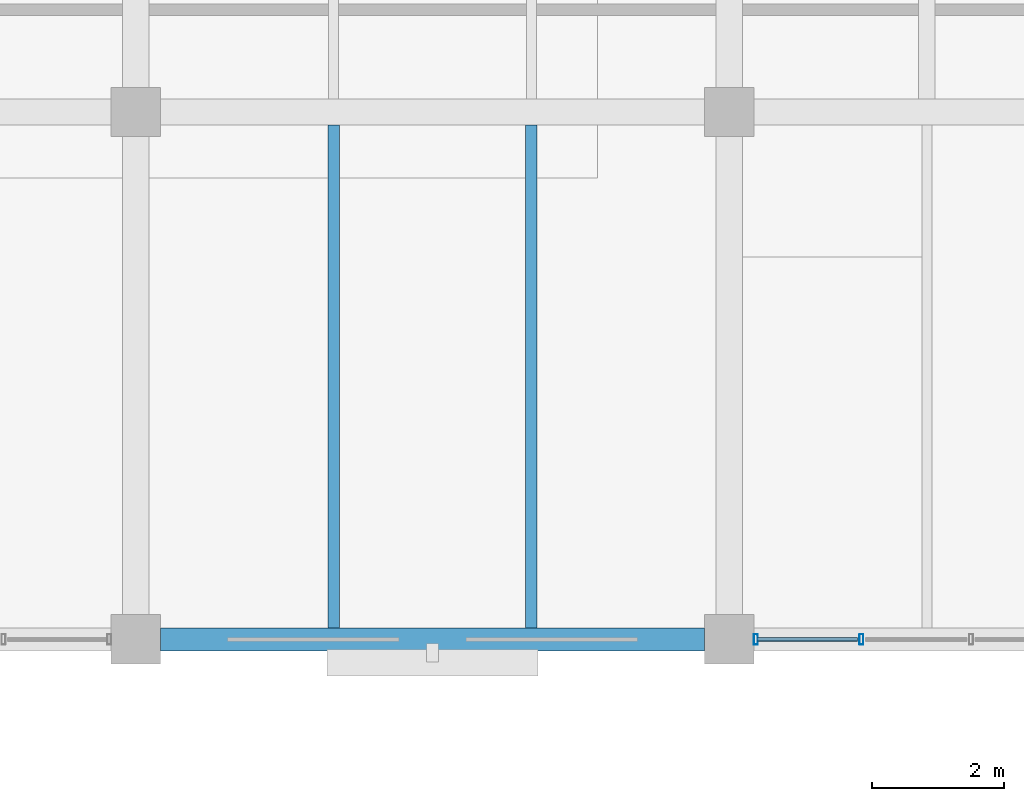
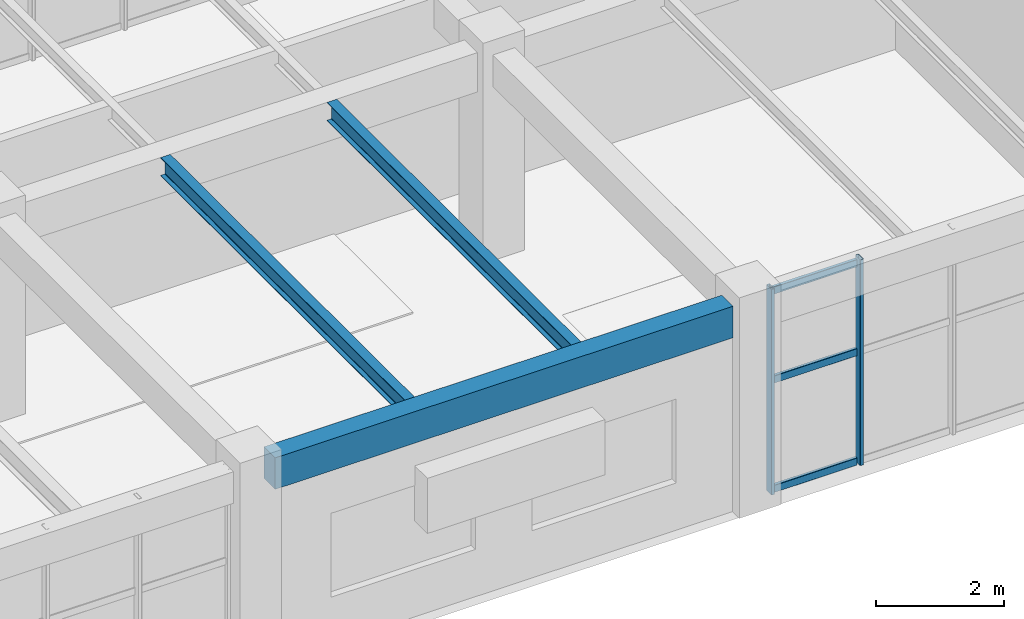
# One storey, part 86 of 148: 5 members, 3 beams, 1 element without a shape of its own.
"""IFC4 building model written with IfcOpenShell, lengths in metres."""

import ifcopenshell
import ifcopenshell.guid

model = None  # the IFC model being written
_history = None  # IfcOwnerHistory: only IFC2X3 demands one
_inside = {}  # id of a spatial element -> (the spatial element, [elements in it])
_under = {}  # id of a project, library or spatial element -> (it, [spatial elements below it])
_declared = {}  # id of a project -> (the project, [libraries it declares])
_typed = {}  # id of a type object -> (the type object, [elements of that type])
_made_of = {}  # id of a material, layer set ... -> (it, [elements and type objects made of it])


def new_model(schema):
    """Start an empty IFC model of exactly this schema.

    Asked for "IFC4X3", IfcOpenShell would pick the latest addendum, in which some entities
    have other attributes; the version numbers below select the first issue.
    IFC2X3 requires an IfcOwnerHistory on every rooted entity: one is made here for all.
    """
    global model, _history
    if schema == "IFC4X3":
        model = ifcopenshell.file(schema_version=(4, 3, 0, 0))
    else:
        model = ifcopenshell.file(schema=schema)
    _inside.clear()
    _under.clear()
    _declared.clear()
    _typed.clear()
    _made_of.clear()
    _history = None
    if model.schema == "IFC2X3":
        org = make("IfcOrganization", Name="unknown")
        user = make(
            "IfcPersonAndOrganization",
            ThePerson=make("IfcPerson", FamilyName="unknown"),
            TheOrganization=org,
        )
        app = make(
            "IfcApplication",
            ApplicationDeveloper=org,
            Version="unknown",
            ApplicationFullName="unknown",
            ApplicationIdentifier="unknown",
        )
        _history = make(
            "IfcOwnerHistory",
            OwningUser=user,
            OwningApplication=app,
            ChangeAction="ADDED",
            CreationDate=0,
        )
    return model


def make(cls, **values):
    """One entity of the class cls with the attributes given. An attribute that is None is left unset."""
    return model.create_entity(
        cls, **{name: value for name, value in values.items() if value is not None}
    )


def rooted(cls, **values):
    """An entity with a GlobalId (a new one), such as an element, a storey or a relation."""
    return make(cls, GlobalId=ifcopenshell.guid.new(), OwnerHistory=_history, **values)


def si_unit(unit_type, name, prefix=None):
    """IfcSIUnit, for example si_unit("LENGTHUNIT", "METRE", prefix="MILLI")."""
    return make("IfcSIUnit", UnitType=unit_type, Prefix=prefix, Name=name)


def derived_unit(unit_type, elements):
    """IfcDerivedUnit: a product of units, each with its exponent."""
    return make(
        "IfcDerivedUnit",
        Elements=[
            make("IfcDerivedUnitElement", Unit=unit, Exponent=power)
            for unit, power in elements
        ],
        UnitType=unit_type,
    )


def assignment(units):
    """IfcUnitAssignment: the units of a project."""
    return None if units is None else make("IfcUnitAssignment", Units=units)


def point(xyz):
    """IfcCartesianPoint."""
    return None if xyz is None else make("IfcCartesianPoint", Coordinates=xyz)


def direction(xyz):
    """IfcDirection."""
    return None if xyz is None else make("IfcDirection", DirectionRatios=xyz)


def frame(location, z_axis=None, x_axis=None):
    """IfcAxis2Placement3D, a coordinate frame: its origin and axes. An axis left out is left unset."""
    return make(
        "IfcAxis2Placement3D",
        Location=point(location),
        Axis=direction(z_axis),
        RefDirection=direction(x_axis),
    )


def frame_2d(location, x_axis=None):
    """IfcAxis2Placement2D, a coordinate frame in the plane: its origin and x axis."""
    return make(
        "IfcAxis2Placement2D", Location=point(location), RefDirection=direction(x_axis)
    )


def origin():
    """The frame at (0, 0, 0) with its axes left unset."""
    return frame((0.0, 0.0, 0.0))


def origin_2d():
    """The frame at (0, 0) in the plane with its x axis left unset."""
    return frame_2d((0.0, 0.0))


def place(relative_to, where):
    """IfcLocalPlacement: puts the frame where relative to a parent placement (None: the world)."""
    return make(
        "IfcLocalPlacement", PlacementRelTo=relative_to, RelativePlacement=where
    )


def context(
    kind, dimensions, precision=None, world=None, true_north=None, identifier=None
):
    """IfcGeometricRepresentationContext, for example the 3D "Model" context."""
    return make(
        "IfcGeometricRepresentationContext",
        ContextIdentifier=identifier,
        ContextType=kind,
        CoordinateSpaceDimension=dimensions,
        Precision=precision,
        WorldCoordinateSystem=world,
        TrueNorth=true_north,
    )


def subcontext(parent, identifier, kind, view, scale=None):
    """IfcGeometricRepresentationSubContext, for example "Body" below "Model"."""
    return make(
        "IfcGeometricRepresentationSubContext",
        ContextIdentifier=identifier,
        ContextType=kind,
        ParentContext=parent,
        TargetScale=scale,
        TargetView=view,
    )


def project(units=None, contexts=None):
    """IfcProject with its units and contexts."""
    return rooted(
        "IfcProject",
        Name="project",
        RepresentationContexts=contexts,
        UnitsInContext=assignment(units),
    )


def spatial(cls, under=None, at=None, **own):
    """A site, building, storey or space (cls), placed at a placement, below another one or the project."""
    s = rooted(cls, ObjectPlacement=at, **own)
    if under is not None:
        _under.setdefault(under.id(), (under, []))[1].append(s)
    return s


def profile(cls, at=None, kind="AREA", **sizes):
    """A parametric profile (cls). Its sizes go by their IFC names, for example OverallWidth=200.0."""
    return make(cls, ProfileType=kind, Position=at, **sizes)


def rectangle(**sizes):
    """IfcRectangleProfileDef."""
    return profile("IfcRectangleProfileDef", **sizes)


def hollow_rectangle(**sizes):
    """IfcRectangleHollowProfileDef."""
    return profile("IfcRectangleHollowProfileDef", **sizes)


def i_section(**sizes):
    """IfcIShapeProfileDef."""
    return profile("IfcIShapeProfileDef", **sizes)


def extrude(swept, where, along, depth):
    """IfcExtrudedAreaSolid: the profile swept, set in the frame where, extruded along a direction by depth."""
    return make(
        "IfcExtrudedAreaSolid",
        SweptArea=swept,
        Position=where,
        ExtrudedDirection=direction(along),
        Depth=depth,
    )


def shape(context_of_items, identifier, shape_type, items):
    """IfcShapeRepresentation: the items that make up one representation, for example the "Body"."""
    return make(
        "IfcShapeRepresentation",
        ContextOfItems=context_of_items,
        RepresentationIdentifier=identifier,
        RepresentationType=shape_type,
        Items=items,
    )


def material(Name=None, Category=None):
    """IfcMaterial."""
    return make("IfcMaterial", Name=Name, Category=Category)


def material_profile(
    of_material, cross_section, Name=None, Category=None, Priority=None
):
    """IfcMaterialProfile: a cross section and its material."""
    return make(
        "IfcMaterialProfile",
        Name=Name,
        Material=of_material,
        Profile=cross_section,
        Priority=Priority,
        Category=Category,
    )


def profile_set(profiles, Name=None, composite=None):
    """IfcMaterialProfileSet."""
    return make(
        "IfcMaterialProfileSet",
        Name=Name,
        MaterialProfiles=profiles,
        CompositeProfile=composite,
    )


def made_of(thing, what):
    """Note that an element or type object is made of a material, layer set ...; save() writes the relation."""
    if what is not None:
        _made_of.setdefault(what.id(), (what, []))[1].append(thing)
    return thing


def type_object(cls, material=None, **own):
    """A type object (cls), such as IfcWallType, which elements share."""
    return made_of(rooted(cls, **own), material)


def element(
    cls,
    number,
    at=None,
    inside=None,
    cuts=None,
    type_object=None,
    material=None,
    context=None,
    identifier="Body",
    shape_type=None,
    held_by="IfcProductDefinitionShape",
    body=None,
    shapes=None,
    **own,
):
    """One element of the class cls, such as IfcWall. Its Tag is "e" and its number.

    at: its placement. inside: the storey or other place that contains it. cuts: it is an
    opening in that element (IfcRelVoidsElement). A single representation is given by context,
    identifier, shape_type and body (its items); several are given by shapes. held_by: the class
    of the entity that holds the representations. save() writes the other relations.
    """
    e = rooted(cls, Tag="e%d" % number, ObjectPlacement=at, **own)
    if body is not None:
        shapes = [shape(context, identifier, shape_type, body)]
    if shapes is not None:
        e.Representation = make(held_by, Representations=shapes)
    if inside is not None:
        _inside.setdefault(inside.id(), (inside, []))[1].append(e)
    if cuts is not None:
        rooted(
            "IfcRelVoidsElement", RelatingBuildingElement=cuts, RelatedOpeningElement=e
        )
    if type_object is not None:
        _typed.setdefault(type_object.id(), (type_object, []))[1].append(e)
    return made_of(e, material)


def aggregate(whole, parts):
    """IfcRelAggregates: a whole, such as a stair, and the parts it consists of."""
    return rooted("IfcRelAggregates", RelatingObject=whole, RelatedObjects=parts)


def save(model, path):
    """Write the relations noted so far, then the file.

    IfcRelAggregates (storeys below a building ...), IfcRelContainedInSpatialStructure (elements
    in a storey), IfcRelDefinesByType, IfcRelAssociatesMaterial and IfcRelDeclares: one each for
    every whole, place, type object, material and project.
    """
    for whole, parts in _under.values():
        aggregate(whole, parts)
    for where, things in _inside.values():
        rooted(
            "IfcRelContainedInSpatialStructure",
            RelatedElements=things,
            RelatingStructure=where,
        )
    for kind, things in _typed.values():
        rooted("IfcRelDefinesByType", RelatedObjects=things, RelatingType=kind)
    for what, things in _made_of.values():
        rooted("IfcRelAssociatesMaterial", RelatedObjects=things, RelatingMaterial=what)
    for by, libraries in _declared.values():
        rooted("IfcRelDeclares", RelatingContext=by, RelatedDefinitions=libraries)
    model.write(path)


model = new_model("IFC4")

# Units and contexts
model_context = context("Model", 3, precision=1e-05, world=origin(), true_north=direction((0.0, 1.0)))
body_context = subcontext(model_context, "Body", "Model", "MODEL_VIEW")
ifc_project = project(units=[si_unit("LENGTHUNIT", "METRE"), si_unit("AREAUNIT", "SQUARE_METRE"), si_unit("VOLUMEUNIT", "CUBIC_METRE"), si_unit("PLANEANGLEUNIT", "RADIAN"), si_unit("MASSUNIT", "GRAM", prefix="KILO"), derived_unit("THERMALTRANSMITTANCEUNIT", [(si_unit("MASSUNIT", "GRAM", prefix="KILO"), 1), (si_unit("TIMEUNIT", "SECOND"), -3), (si_unit("THERMODYNAMICTEMPERATUREUNIT", "KELVIN"), -1)])], contexts=[model_context])

# Site, building, storey
site_placement = place(None, origin())
site = spatial("IfcSite", under=ifc_project, at=site_placement, CompositionType="ELEMENT")
building_placement = place(site_placement, origin())
building = spatial("IfcBuilding", under=site, at=building_placement, Name="Zhenchuan Archway Interchange", CompositionType="ELEMENT")
storey_placement = place(building_placement, frame((0.0, 0.0, 10.199951171875)))
storey = spatial("IfcBuildingStorey", under=building, at=storey_placement, Name="L02", CompositionType="ELEMENT", Elevation=10.199951171875)

# Curtain wall, members
ifc_material_1 = material(Name="Anodised Aluminium", Category="aluminium")
curtain_wall_type = type_object("IfcCurtainWallType", Name="CW_UNIT_2", PredefinedType="NOTDEFINED", material=ifc_material_1)
curtain_wall_placement = place(storey_placement, origin())
curtain_wall = element("IfcCurtainWall", 1, at=curtain_wall_placement, inside=storey, type_object=curtain_wall_type, Name="Unitised curtain wall CW:L02:157", PredefinedType="NOTDEFINED")
ifc_material_profile_1 = material_profile(ifc_material_1, hollow_rectangle(XDim=0.06005859375, YDim=0.159912109375, WallThickness=0.00390625, InnerFilletRadius=0.00390625, OuterFilletRadius=0.008056640625, at=origin_2d()), Name="ALU 160x60x4")
ifc_profile_set_1 = profile_set([ifc_material_profile_1], Name="Anodised Aluminium")
member_type_1 = type_object("IfcMemberType", Name="CW_MUL_150", PredefinedType="MULLION", material=ifc_profile_set_1)
member_1_placement = place(storey_placement, frame((146.005859375, 8.0, 0.0), z_axis=(0.0, 0.0, 1.0), x_axis=(1.0, 0.0, 0.0)))
member_1 = element("IfcMember", 2, at=member_1_placement, type_object=member_type_1, Name="CW:L02:157 mullion 4", PredefinedType="MULLION", context=body_context, shape_type="SweptSolid", body=[
    extrude(hollow_rectangle(XDim=0.06005859375, YDim=0.159912109375, WallThickness=0.00390625, InnerFilletRadius=0.00390625, OuterFilletRadius=0.008056640625, at=origin_2d()), origin(), (0.0, 0.0, 1.0), 3.920166015625),
])
member_2_placement = place(storey_placement, frame((144.403076171875, 8.0, 0.0), z_axis=(0.0, 0.0, 1.0), x_axis=(1.0, 0.0, 0.0)))
member_2 = element("IfcMember", 3, at=member_2_placement, type_object=member_type_1, Name="CW:L02:157 mullion 5", PredefinedType="MULLION", context=body_context, shape_type="SweptSolid", body=[
    extrude(hollow_rectangle(XDim=0.06005859375, YDim=0.159912109375, WallThickness=0.00390625, InnerFilletRadius=0.00390625, OuterFilletRadius=0.008056640625, at=origin_2d()), origin(), (0.0, 0.0, 1.0), 3.920166015625),
])
ifc_material_profile_2 = material_profile(ifc_material_1, hollow_rectangle(XDim=0.06005859375, YDim=0.139892578125, WallThickness=0.00341796875, InnerFilletRadius=0.00341796875, OuterFilletRadius=0.007080078125, at=origin_2d()), Name="ALU 140x60x3.5")
ifc_profile_set_2 = profile_set([ifc_material_profile_2], Name="Anodised Aluminium")
member_type_2 = type_object("IfcMemberType", Name="CW_TRN_140", PredefinedType="USERDEFINED", material=ifc_profile_set_2)
member_3_placement = place(storey_placement, frame((145.94580078125, 8.0, 0.06005859375), z_axis=(-1.0, 0.0, 0.0), x_axis=(0.0, -1.0, 0.0)))
member_3 = element("IfcMember", 4, at=member_3_placement, type_object=member_type_2, Name="CW:L02:157 transom 4-1", ObjectType="TRANSOM", PredefinedType="USERDEFINED", context=body_context, shape_type="SweptSolid", body=[
    extrude(hollow_rectangle(XDim=0.06005859375, YDim=0.139892578125, WallThickness=0.00341796875, InnerFilletRadius=0.00341796875, OuterFilletRadius=0.007080078125, at=origin_2d()), origin(), (0.0, 0.0, 1.0), 1.522705078125),
])
member_4_placement = place(storey_placement, frame((145.94580078125, 8.0, 2.14501953125), z_axis=(-1.0, 0.0, 0.0), x_axis=(0.0, -1.0, 0.0)))
member_4 = element("IfcMember", 5, at=member_4_placement, type_object=member_type_2, Name="CW:L02:157 transom 4-2", ObjectType="TRANSOM", PredefinedType="USERDEFINED", context=body_context, shape_type="SweptSolid", body=[
    extrude(hollow_rectangle(XDim=0.06005859375, YDim=0.139892578125, WallThickness=0.00341796875, InnerFilletRadius=0.00341796875, OuterFilletRadius=0.007080078125, at=origin_2d()), origin(), (0.0, 0.0, 1.0), 1.522705078125),
])
member_5_placement = place(storey_placement, frame((145.94580078125, 8.0, 3.840087890625), z_axis=(-1.0, 0.0, 0.0), x_axis=(0.0, -1.0, 0.0)))
member_5 = element("IfcMember", 6, at=member_5_placement, type_object=member_type_2, Name="CW:L02:157 transom 4-3", ObjectType="TRANSOM", PredefinedType="USERDEFINED", context=body_context, shape_type="SweptSolid", body=[
    extrude(hollow_rectangle(XDim=0.06005859375, YDim=0.139892578125, WallThickness=0.00341796875, InnerFilletRadius=0.00341796875, OuterFilletRadius=0.007080078125, at=origin_2d()), origin(), (0.0, 0.0, 1.0), 1.522705078125),
])
aggregate(curtain_wall, [member_1, member_2, member_3, member_4, member_5])

# Beams
ifc_material_2 = material(Name="Steel Q355", Category="steel")
ifc_material_profile_3 = material_profile(ifc_material_2, i_section(OverallWidth=0.175048828125, OverallDepth=0.35009765625, WebThickness=0.007080078125, FlangeThickness=0.010986328125, FilletRadius=0.013916015625, at=origin_2d()), Name="HN 350x175")
ifc_profile_set_3 = profile_set([ifc_material_profile_3], Name="Steel Q355")
beam_type_1 = type_object("IfcBeamType", Name="JST_STL_HN350", PredefinedType="JOIST", material=ifc_profile_set_3)
for number, where, z_axis, x_axis, name in (
    (7, (138.0, 8.175048828125, 3.7451171875), (0.0, 1.0, 0.0), (-1.0, 0.0, 0.0), "Secondary joist 16-17/B-C #1 (L02)"),
    (8, (141.0, 8.175048828125, 3.7451171875), (0.0, 1.0, 0.0), (-1.0, 0.0, 0.0), "Secondary joist 16-17/B-C #2 (L02)"),
):
    element("IfcBeam", number, at=place(storey_placement, frame(where, z_axis=z_axis, x_axis=x_axis)), inside=storey, type_object=beam_type_1, Name=name, PredefinedType="JOIST", context=body_context, shape_type="SweptSolid", body=[
        extrude(i_section(OverallWidth=0.175048828125, OverallDepth=0.35009765625, WebThickness=0.007080078125, FlangeThickness=0.010986328125, FilletRadius=0.013916015625, at=origin_2d()), origin(), (0.0, 0.0, 1.0), 7.625),
    ])
ifc_material_3 = material(Name="Concrete C40", Category="concrete")
ifc_material_profile_4 = material_profile(ifc_material_3, rectangle(XDim=0.35009765625, YDim=0.60009765625, at=origin_2d()), Name="RC 350x600")
ifc_profile_set_4 = profile_set([ifc_material_profile_4], Name="Concrete C40")
beam_type_2 = type_object("IfcBeamType", Name="SP_RC_350x600", PredefinedType="SPANDREL", material=ifc_profile_set_4)
beam_placement = place(storey_placement, frame((135.375, 8.0, 3.6201171875), z_axis=(1.0, 0.0, 0.0), x_axis=(0.0, 1.0, 0.0)))
element("IfcBeam", 9, at=beam_placement, inside=storey, type_object=beam_type_2, Name="Beam B:16-17 (L02)", PredefinedType="SPANDREL", context=body_context, shape_type="SweptSolid", body=[
    extrude(rectangle(XDim=0.35009765625, YDim=0.60009765625, at=origin_2d()), origin(), (0.0, 0.0, 1.0), 8.25),
])

save(model, "model.ifc")
